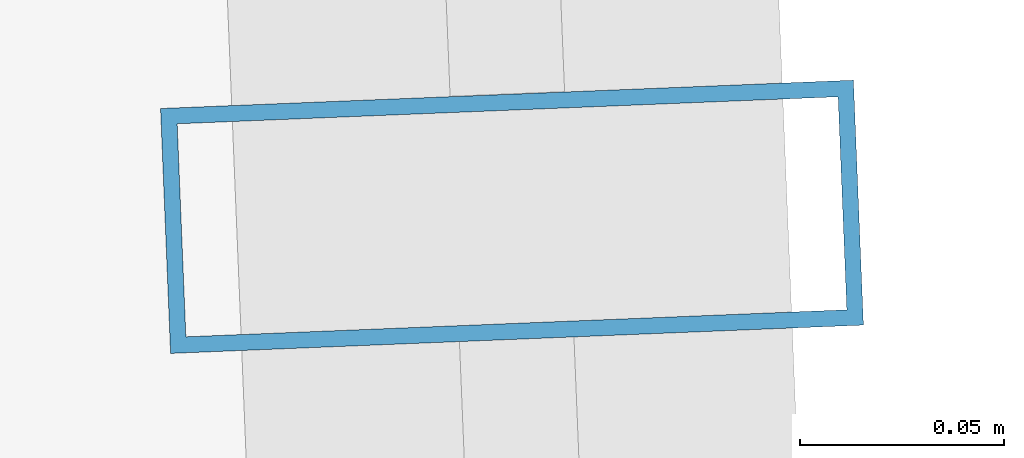
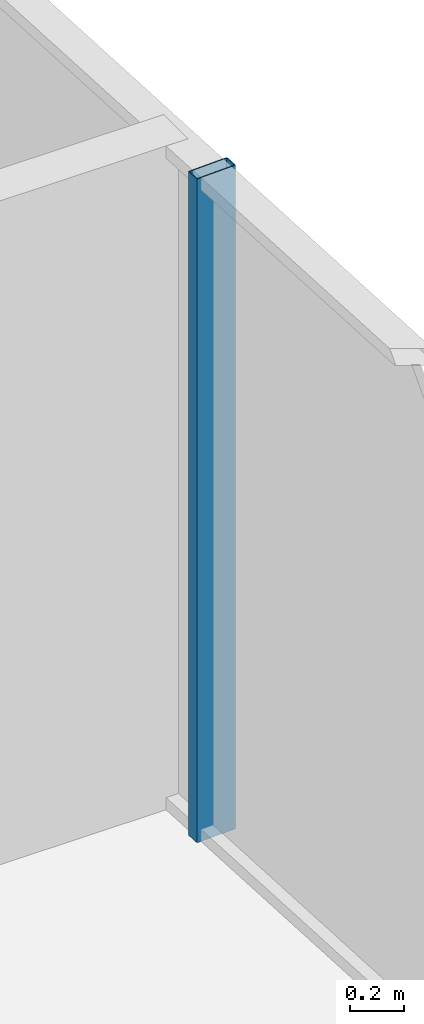
# One storey, part 14 of 32: 1 member, 1 element without a shape of its own.
"""IFC4 building model written with IfcOpenShell, lengths in metres."""

from ifc_helpers import new_model, si_unit, direction, frame, origin, origin_2d, place, context, subcontext, project, spatial, hollow_rectangle, extrude, source, transform, mapped, material, layer, layer_set, material_profile, profile_set, type_object, element, aggregate, save


model = new_model("IFC4")

# Units and contexts
model_context = context("Model", 3, precision=1e-05, world=origin(), true_north=direction((0.0, 1.0)))
body_context = subcontext(model_context, "Body", "Model", "MODEL_VIEW")
ifc_project = project(units=[si_unit("LENGTHUNIT", "METRE"), si_unit("AREAUNIT", "SQUARE_METRE"), si_unit("VOLUMEUNIT", "CUBIC_METRE"), si_unit("PLANEANGLEUNIT", "RADIAN"), si_unit("MASSUNIT", "GRAM", prefix="KILO")], contexts=[model_context])

# Site, building, storey
site_placement = place(None, origin())
site = spatial("IfcSite", under=ifc_project, at=site_placement, CompositionType="ELEMENT")
building_placement = place(site_placement, origin())
building = spatial("IfcBuilding", under=site, at=building_placement, Name="Veraguas Prism Commons", CompositionType="ELEMENT")
storey_placement = place(building_placement, frame((0.0, 0.0, 136.0)))
storey = spatial("IfcBuildingStorey", under=building, at=storey_placement, Name="L38", CompositionType="ELEMENT", Elevation=136.0)

# Curtain wall, member
ifc_material = material(Name="Anodised aluminium EN AW-6063 T6", Category="aluminium")
ifc_layer = layer(ifc_material, 0.169921875, Name="Unitised Flush Curtain Wall Zone 2", Category="aluminium")
ifc_layer_set = layer_set([ifc_layer], Name="Anodised aluminium EN AW-6063 T6")
curtain_wall_type = type_object("IfcCurtainWallType", Name="Unitised Flush Curtain Wall Zone 2", PredefinedType="NOTDEFINED", material=ifc_layer_set)
curtain_wall_placement = place(storey_placement, origin())
curtain_wall = element("IfcCurtainWall", 1, at=curtain_wall_placement, inside=storey, type_object=curtain_wall_type, Name="Tower Facade Curtain Wall L38-F6", PredefinedType="NOTDEFINED")
ifc_material_profile = material_profile(ifc_material, hollow_rectangle(XDim=0.06005859375, YDim=0.169921875, WallThickness=0.00390625, at=origin_2d()), Name="AL60X170X4")
ifc_profile_set = profile_set([ifc_material_profile], Name="Anodised aluminium EN AW-6063 T6")
member_type = type_object("IfcMemberType", Name="Curtain Wall Mullion Lower AL 60x170x4", PredefinedType="MULLION", material=ifc_profile_set)
shared_shape = source(origin(), body_context, "Body", "SweptSolid", [
    extrude(hollow_rectangle(XDim=0.06005859375, YDim=0.169921875, WallThickness=0.00390625, at=origin_2d()), origin(), (0.0, 0.0, 1.0), 3.0),
])
member_placement = place(storey_placement, frame((43.16650390625, 24.783203125, 0.0), z_axis=(0.0, 0.0, 1.0), x_axis=(-0.040836327473, 0.999165849276, 0.0)))
member = element("IfcMember", 2, at=member_placement, type_object=member_type, Name="CW-Z2 Mullion 3", PredefinedType="MULLION", context=body_context, shape_type="MappedRepresentation", body=[
    mapped(shared_shape, transform((0.0, 0.0, 0.0), scale=1.0)),
])
aggregate(curtain_wall, [member])

save(model, "model.ifc")
